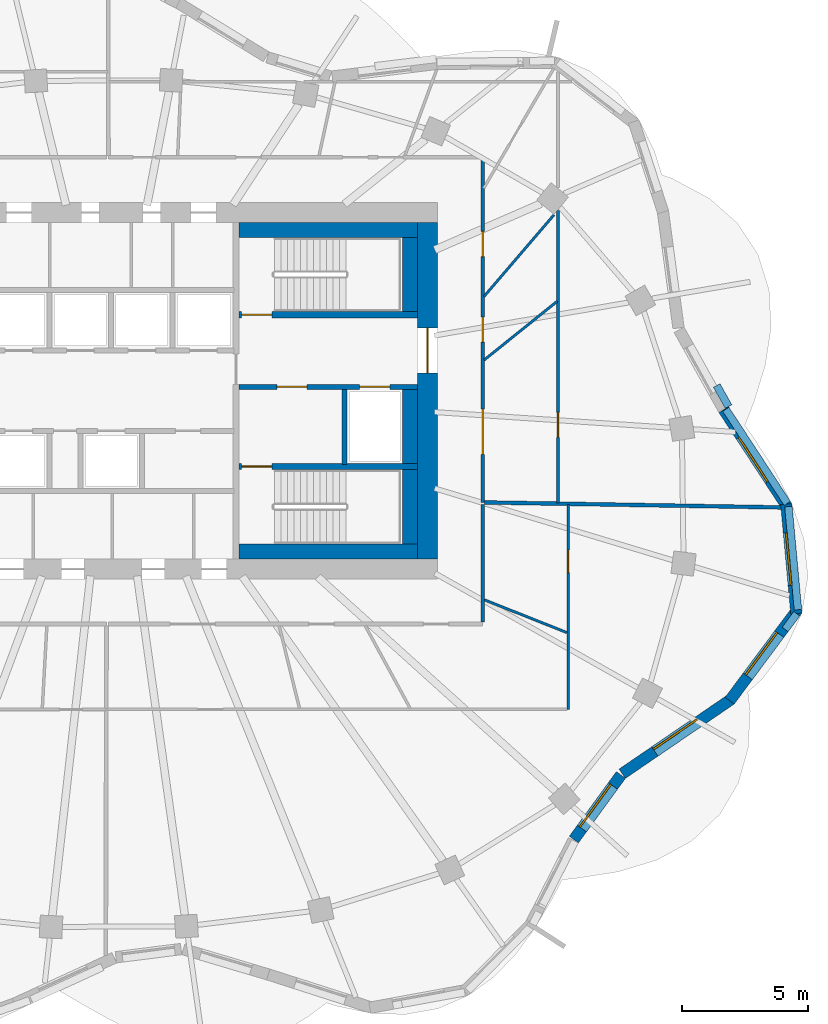
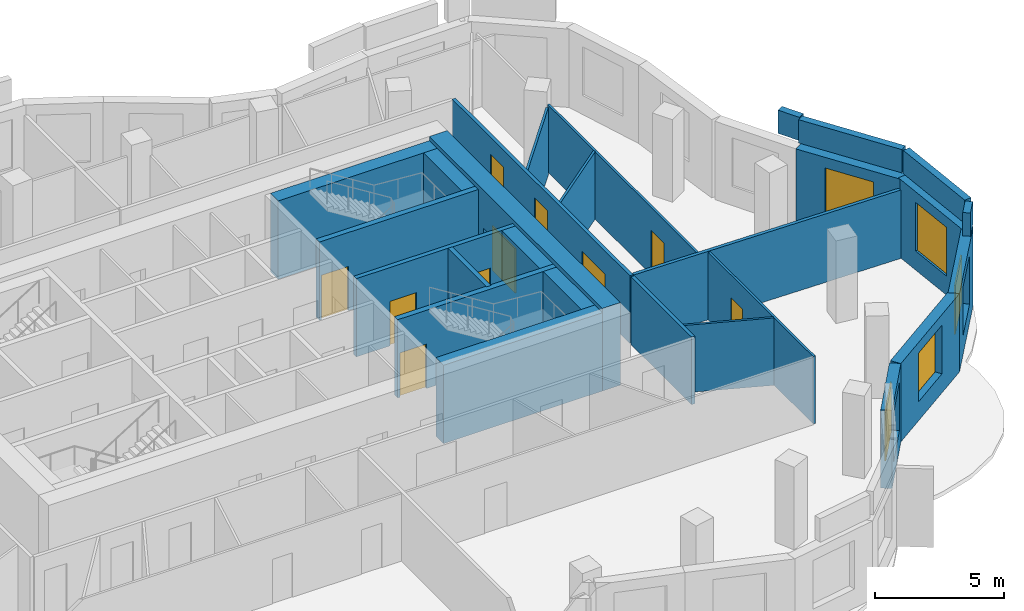
# One storey, part 6 of 10: 27 walls, 10 doors, 5 windows, 15 openings.
"""IFC4 building model written with IfcOpenShell, lengths in metres."""

from ifc_helpers import new_model, si_unit, direction, frame, frame_2d, origin, place, context, subcontext, project, spatial, rectangle, extrude, material, layer, layer_set, type_object, element, fill, save


model = new_model("IFC4")

# Units and contexts
model_context = context("Model", 3, precision=1e-05, world=origin(), true_north=direction((0.0, 1.0)))
body_context = subcontext(model_context, "Body", "Model", "MODEL_VIEW")
ifc_project = project(units=[si_unit("LENGTHUNIT", "METRE"), si_unit("AREAUNIT", "SQUARE_METRE"), si_unit("VOLUMEUNIT", "CUBIC_METRE"), si_unit("PLANEANGLEUNIT", "RADIAN"), si_unit("MASSUNIT", "GRAM", prefix="KILO")], contexts=[model_context])

# Site, building, storey
site_placement = place(None, origin())
site = spatial("IfcSite", under=ifc_project, at=site_placement, CompositionType="ELEMENT")
building_placement = place(site_placement, origin())
building = spatial("IfcBuilding", under=site, at=building_placement, Name="Rubra Terraces Tower", CompositionType="ELEMENT")
storey_placement = place(building_placement, frame((0.0, 0.0, 296.10009765625)))
storey = spatial("IfcBuildingStorey", under=building, at=storey_placement, Name="L73", CompositionType="ELEMENT", Elevation=296.10009765625)

# Wall, opening, window
ifc_material_1 = material(Name="Brick masonry red-brown", Category="masonry")
ifc_layer_1 = layer(ifc_material_1, 0.449951171875)
ifc_layer_set_1 = layer_set([ifc_layer_1], Name="Brick masonry red-brown")
wall_type_1 = type_object("IfcWallType", Name="Brick facade wall 450", PredefinedType="SOLIDWALL", material=ifc_layer_set_1)
wall_1_placement = place(storey_placement, frame((26.92626953125, -0.119140625, 0.0), z_axis=(0.0, 0.0, 1.0), x_axis=(-0.547072638725, 0.837085137819, 0.0)))
wall_1 = element("IfcWall", 1, at=wall_1_placement, inside=storey, type_object=wall_type_1, Name="Facade wall L73 bay 1", PredefinedType="SOLIDWALL", context=body_context, shape_type="SweptSolid", body=[
    extrude(rectangle(XDim=4.61572265625, YDim=0.449951171875, at=frame_2d((2.307861328125, 0.0))), origin(), (0.0, 0.0, 1.0), 3.699951171875),
])
opening_1_placement = place(wall_1_placement, frame((1.2578125, 0.0, 0.89990234375)))
opening_1 = element("IfcOpeningElement", 2, at=opening_1_placement, cuts=wall_1, Name="Opening W1B", PredefinedType="OPENING", context=body_context, shape_type="SweptSolid", body=[
    extrude(rectangle(XDim=2.10009765625, YDim=2.300048828125, at=frame_2d((1.050048828125, 1.14990234375))), frame((0.0, 0.23486328125, 0.0), z_axis=(0.0, -1.0, 0.0), x_axis=(1.0, 0.0, 0.0)), (0.0, 0.0, 1.0), 0.469970703125),
])
ifc_material_2 = material(Name="Clear glass in aluminium frame", Category="aluminium")
window_type = type_object("IfcWindowType", Name="Fixed deep-set window tall storey 2100 x 2300", PartitioningType="SINGLE_PANEL", PredefinedType="WINDOW", material=ifc_material_2)
window_1_placement = place(opening_1_placement, origin())
window_1 = element("IfcWindow", 3, at=window_1_placement, inside=storey, type_object=window_type, Name="Window L73 bay 1", OverallHeight=2.300048828125, OverallWidth=2.10009765625, PartitioningType="SINGLE_PANEL", PredefinedType="WINDOW", context=body_context, shape_type="SweptSolid", body=[
    extrude(rectangle(XDim=2.10009765625, YDim=2.300048828125, at=frame_2d((1.050048828125, 1.14990234375))), frame((0.0, 0.135009765625, 0.0), z_axis=(0.0, -1.0, 0.0), x_axis=(1.0, 0.0, 0.0)), (0.0, 0.0, 1.0), 0.06005859375),
])
fill(opening_1, window_1)

wall_2_placement = place(storey_placement, frame((18.43408203125, -13.381103515625, 0.0), z_axis=(0.0, 0.0, 1.0), x_axis=(0.58867331001, 0.808371037384, 0.0)))
wall_2 = element("IfcWall", 4, at=wall_2_placement, inside=storey, type_object=wall_type_1, Name="Facade wall L73 bay 37", PredefinedType="SOLIDWALL", context=body_context, shape_type="SweptSolid", body=[
    extrude(rectangle(XDim=3.1826171875, YDim=0.449951171875, at=frame_2d((1.59130859375, 0.0))), origin(), (0.0, 0.0, 1.0), 3.699951171875),
])
opening_2_placement = place(wall_2_placement, frame((0.541259765625, 0.0, 0.89990234375)))
opening_2 = element("IfcOpeningElement", 5, at=opening_2_placement, cuts=wall_2, Name="Opening W1B", PredefinedType="OPENING", context=body_context, shape_type="SweptSolid", body=[
    extrude(rectangle(XDim=2.10009765625, YDim=2.300048828125, at=frame_2d((1.050048828125, 1.14990234375))), frame((0.0, 0.23486328125, 0.0), z_axis=(0.0, -1.0, 0.0), x_axis=(1.0, 0.0, 0.0)), (0.0, 0.0, 1.0), 0.469970703125),
])
window_2_placement = place(opening_2_placement, origin())
window_2 = element("IfcWindow", 6, at=window_2_placement, inside=storey, type_object=window_type, Name="Window L73 bay 37", OverallHeight=2.300048828125, OverallWidth=2.10009765625, PartitioningType="SINGLE_PANEL", PredefinedType="WINDOW", context=body_context, shape_type="SweptSolid", body=[
    extrude(rectangle(XDim=2.10009765625, YDim=2.300048828125, at=frame_2d((1.050048828125, 1.14990234375))), frame((0.0, 0.135009765625, 0.0), z_axis=(0.0, -1.0, 0.0), x_axis=(1.0, 0.0, 0.0)), (0.0, 0.0, 1.0), 0.06005859375),
])
fill(opening_2, window_2)

wall_3_placement = place(storey_placement, frame((20.358642578125, -10.760498046875, 0.0), z_axis=(0.0, 0.0, 1.0), x_axis=(0.825616460661, 0.564231743068, 0.0)))
wall_3 = element("IfcWall", 7, at=wall_3_placement, inside=storey, type_object=wall_type_1, Name="Facade wall L73 bay 38", PredefinedType="SOLIDWALL", context=body_context, shape_type="SweptSolid", body=[
    extrude(rectangle(XDim=5.246337890625, YDim=0.449951171875, at=frame_2d((2.623046875, 0.0))), origin(), (0.0, 0.0, 1.0), 3.699951171875),
])
opening_3_placement = place(wall_3_placement, frame((1.5732421875, 0.0, 0.89990234375)))
opening_3 = element("IfcOpeningElement", 8, at=opening_3_placement, cuts=wall_3, Name="Opening W1B", PredefinedType="OPENING", context=body_context, shape_type="SweptSolid", body=[
    extrude(rectangle(XDim=2.10009765625, YDim=2.300048828125, at=frame_2d((1.050048828125, 1.14990234375))), frame((0.0, 0.23486328125, 0.0), z_axis=(0.0, -1.0, 0.0), x_axis=(1.0, 0.0, 0.0)), (0.0, 0.0, 1.0), 0.469970703125),
])
window_3_placement = place(opening_3_placement, origin())
window_3 = element("IfcWindow", 9, at=window_3_placement, inside=storey, type_object=window_type, Name="Window L73 bay 38", OverallHeight=2.300048828125, OverallWidth=2.10009765625, PartitioningType="SINGLE_PANEL", PredefinedType="WINDOW", context=body_context, shape_type="SweptSolid", body=[
    extrude(rectangle(XDim=2.10009765625, YDim=2.300048828125, at=frame_2d((1.050048828125, 1.14990234375))), frame((0.0, 0.135009765625, 0.0), z_axis=(0.0, -1.0, 0.0), x_axis=(1.0, 0.0, 0.0)), (0.0, 0.0, 1.0), 0.06005859375),
])
fill(opening_3, window_3)

wall_4_placement = place(storey_placement, frame((24.63671875, -7.851806640625, 0.0), z_axis=(0.0, 0.0, 1.0), x_axis=(0.597518748368, 0.80185494034, 0.0)))
wall_4 = element("IfcWall", 10, at=wall_4_placement, inside=storey, type_object=wall_type_1, Name="Facade wall L73 bay 39", PredefinedType="SOLIDWALL", context=body_context, shape_type="SweptSolid", body=[
    extrude(rectangle(XDim=4.5234375, YDim=0.449951171875, at=frame_2d((2.26171875, 0.0))), origin(), (0.0, 0.0, 1.0), 3.699951171875),
])
opening_4_placement = place(wall_4_placement, frame((1.211669921875, 0.0, 0.89990234375)))
opening_4 = element("IfcOpeningElement", 11, at=opening_4_placement, cuts=wall_4, Name="Opening W1B", PredefinedType="OPENING", context=body_context, shape_type="SweptSolid", body=[
    extrude(rectangle(XDim=2.10009765625, YDim=2.300048828125, at=frame_2d((1.050048828125, 1.14990234375))), frame((0.0, 0.23486328125, 0.0), z_axis=(0.0, -1.0, 0.0), x_axis=(1.0, 0.0, 0.0)), (0.0, 0.0, 1.0), 0.469970703125),
])
window_4_placement = place(opening_4_placement, origin())
window_4 = element("IfcWindow", 12, at=window_4_placement, inside=storey, type_object=window_type, Name="Window L73 bay 39", OverallHeight=2.300048828125, OverallWidth=2.10009765625, PartitioningType="SINGLE_PANEL", PredefinedType="WINDOW", context=body_context, shape_type="SweptSolid", body=[
    extrude(rectangle(XDim=2.10009765625, YDim=2.300048828125, at=frame_2d((1.050048828125, 1.14990234375))), frame((0.0, 0.135009765625, 0.0), z_axis=(0.0, -1.0, 0.0), x_axis=(1.0, 0.0, 0.0)), (0.0, 0.0, 1.0), 0.06005859375),
])
fill(opening_4, window_4)

wall_5_placement = place(storey_placement, frame((27.2958984375, -4.379638671875, 0.0), z_axis=(0.0, 0.0, 1.0), x_axis=(-0.092079421996, 0.995751665851, 0.0)))
wall_5 = element("IfcWall", 13, at=wall_5_placement, inside=storey, type_object=wall_type_1, Name="Facade wall L73 bay 40", PredefinedType="SOLIDWALL", context=body_context, shape_type="SweptSolid", body=[
    extrude(rectangle(XDim=4.37744140625, YDim=0.449951171875, at=frame_2d((2.188720703125, 0.0))), origin(), (0.0, 0.0, 1.0), 3.699951171875),
])
opening_5_placement = place(wall_5_placement, frame((1.138916015625, 0.0, 0.89990234375)))
opening_5 = element("IfcOpeningElement", 14, at=opening_5_placement, cuts=wall_5, Name="Opening W1B", PredefinedType="OPENING", context=body_context, shape_type="SweptSolid", body=[
    extrude(rectangle(XDim=2.10009765625, YDim=2.300048828125, at=frame_2d((1.050048828125, 1.14990234375))), frame((0.0, 0.23486328125, 0.0), z_axis=(0.0, -1.0, 0.0), x_axis=(1.0, 0.0, 0.0)), (0.0, 0.0, 1.0), 0.469970703125),
])
window_5_placement = place(opening_5_placement, origin())
window_5 = element("IfcWindow", 15, at=window_5_placement, inside=storey, type_object=window_type, Name="Window L73 bay 40", OverallHeight=2.300048828125, OverallWidth=2.10009765625, PartitioningType="SINGLE_PANEL", PredefinedType="WINDOW", context=body_context, shape_type="SweptSolid", body=[
    extrude(rectangle(XDim=2.10009765625, YDim=2.300048828125, at=frame_2d((1.050048828125, 1.14990234375))), frame((0.0, 0.135009765625, 0.0), z_axis=(0.0, -1.0, 0.0), x_axis=(1.0, 0.0, 0.0)), (0.0, 0.0, 1.0), 0.06005859375),
])
fill(opening_5, window_5)

# Walls
ifc_layer_2 = layer(ifc_material_1, 0.300048828125)
ifc_layer_set_2 = layer_set([ifc_layer_2], Name="Brick masonry red-brown")
wall_type_2 = type_object("IfcWallType", Name="Brick parapet 300", PredefinedType="PARAPET", material=ifc_layer_set_2)
wall_6_placement = place(storey_placement, frame((26.934326171875, 0.005615234375, 3.89990234375), z_axis=(0.0, 0.0, 1.0), x_axis=(-0.547070260179, 0.837086692301, 0.0)))
element("IfcWall", 16, at=wall_6_placement, inside=storey, type_object=wall_type_2, Name="Parapet L73 bay 1", PredefinedType="PARAPET", context=body_context, shape_type="SweptSolid", body=[
    extrude(rectangle(XDim=4.48095703125, YDim=0.300048828125, at=frame_2d((2.240478515625, 0.0))), origin(), (0.0, 0.0, 1.0), 1.10009765625),
])
wall_7_placement = place(storey_placement, frame((24.592041015625, 3.86376953125, 3.89990234375), z_axis=(0.0, 0.0, 1.0), x_axis=(-0.488379082049, 0.872631578742, 0.0)))
element("IfcWall", 17, at=wall_7_placement, inside=storey, type_object=wall_type_2, Name="Parapet L73 bay 2", PredefinedType="PARAPET", context=body_context, shape_type="SweptSolid", body=[
    extrude(rectangle(XDim=0.96142578125, YDim=0.300048828125, at=frame_2d((0.480712890625, 0.0))), origin(), (0.0, 0.0, 1.0), 1.10009765625),
])
wall_8_placement = place(storey_placement, frame((26.845458984375, -5.01318359375, 3.89990234375), z_axis=(0.0, 0.0, 1.0), x_axis=(0.597500991774, 0.801868171727, 0.0)))
element("IfcWall", 18, at=wall_8_placement, inside=storey, type_object=wall_type_2, Name="Parapet L73 bay 39", PredefinedType="PARAPET", context=body_context, shape_type="SweptSolid", body=[
    extrude(rectangle(XDim=0.782470703125, YDim=0.300048828125, at=frame_2d((0.39111328125, 0.0))), origin(), (0.0, 0.0, 1.0), 1.10009765625),
])
wall_9_placement = place(storey_placement, frame((27.357421875, -4.228515625, 3.89990234375), z_axis=(0.0, 0.0, 1.0), x_axis=(-0.092082019937, 0.99575142561, 0.0)))
element("IfcWall", 19, at=wall_9_placement, inside=storey, type_object=wall_type_2, Name="Parapet L73 bay 40", PredefinedType="PARAPET", context=body_context, shape_type="SweptSolid", body=[
    extrude(rectangle(XDim=4.128173828125, YDim=0.300048828125, at=frame_2d((2.06396484375, 0.0))), origin(), (0.0, 0.0, 1.0), 1.10009765625),
])

# Wall, opening, door
ifc_material_3 = material(Name="Concrete C50", Category="concrete")
ifc_layer_3 = layer(ifc_material_3, 0.800048828125)
ifc_layer_set_3 = layer_set([ifc_layer_3], Name="Concrete C50")
wall_type_3 = type_object("IfcWallType", Name="CORE WALL 800 C50", PredefinedType="SHEAR", material=ifc_layer_set_3)
wall_10_placement = place(storey_placement, frame((12.60009765625, -2.199951171875, 0.0), z_axis=(0.0, 0.0, 1.0), x_axis=(0.0, 1.0, 0.0)))
wall_10 = element("IfcWall", 20, at=wall_10_placement, inside=storey, type_object=wall_type_3, Name="CORE WALL E L73", PredefinedType="SHEAR", context=body_context, shape_type="SweptSolid", body=[
    extrude(rectangle(XDim=13.39990234375, YDim=0.800048828125, at=frame_2d((6.699951171875, 0.0))), origin(), (0.0, 0.0, 1.0), 3.89990234375),
])
opening_6_placement = place(wall_10_placement, frame((7.39990234375, 0.0, 0.0)))
opening_6 = element("IfcOpeningElement", 21, at=opening_6_placement, cuts=wall_10, Name="Opening L73.C02", PredefinedType="OPENING", context=body_context, shape_type="SweptSolid", body=[
    extrude(rectangle(XDim=1.800048828125, YDim=2.10009765625, at=frame_2d((0.89990234375, 1.050048828125))), frame((0.0, 0.409912109375, 0.0), z_axis=(0.0, -1.0, 0.0), x_axis=(1.0, 0.0, 0.0)), (0.0, 0.0, 1.0), 0.820068359375),
])
ifc_material_4 = material(Name="Painted steel", Category="steel")
door_type_1 = type_object("IfcDoorType", Name="Fire door 1800x2100 double", OperationType="NOTDEFINED", PredefinedType="DOOR", material=ifc_material_4)
door_1_placement = place(opening_6_placement, origin())
door_1 = element("IfcDoor", 22, at=door_1_placement, inside=storey, type_object=door_type_1, Name="Core entrance door FF2", OperationType="DOUBLE_DOOR_SINGLE_SWING", OverallHeight=2.10009765625, OverallWidth=1.800048828125, PredefinedType="DOOR", context=body_context, shape_type="SweptSolid", body=[
    extrude(rectangle(XDim=1.800048828125, YDim=2.10009765625, at=frame_2d((0.89990234375, 1.050048828125))), frame((0.0, 0.02490234375, 0.0), z_axis=(0.0, -1.0, 0.0), x_axis=(1.0, 0.0, 0.0)), (0.0, 0.0, 1.0), 0.050048828125),
])
fill(opening_6, door_1)

# Wall, openings, doors
ifc_material_5 = material(Name="Plasterboard on steel stud, mineral wool infill", Category="steel")
ifc_layer_4 = layer(ifc_material_5, 0.14990234375)
ifc_layer_set_4 = layer_set([ifc_layer_4], Name="Plasterboard on steel stud, mineral wool infill")
wall_type_4 = type_object("IfcWallType", Name="CORRIDOR PARTITION 150", PredefinedType="PARTITIONING", material=ifc_layer_set_4)
wall_11_placement = place(storey_placement, frame((14.800048828125, 0.048095703125, 0.0), z_axis=(0.0, 0.0, 1.0), x_axis=(0.0, 1.0, 0.0)))
wall_11 = element("IfcWall", 23, at=wall_11_placement, inside=storey, type_object=wall_type_4, Name="PARTITION", PredefinedType="PARTITIONING", context=body_context, shape_type="SweptSolid", body=[
    extrude(rectangle(XDim=13.751953125, YDim=0.14990234375, at=frame_2d((6.8759765625, 0.0))), origin(), (0.0, 0.0, 1.0), 3.197998046875),
])
opening_7_placement = place(wall_11_placement, frame((1.912109375, 0.0, 0.0)))
opening_7 = element("IfcOpeningElement", 24, at=opening_7_placement, cuts=wall_11, Name="Opening 73-101", PredefinedType="OPENING", context=body_context, shape_type="SweptSolid", body=[
    extrude(rectangle(XDim=1.800048828125, YDim=2.10009765625, at=frame_2d((0.89990234375, 1.050048828125))), frame((0.0, 0.0849609375, 0.0), z_axis=(0.0, -1.0, 0.0), x_axis=(1.0, 0.0, 0.0)), (0.0, 0.0, 1.0), 0.169921875),
])
opening_8_placement = place(wall_11_placement, frame((6.381103515625, 0.0, 0.0)))
opening_8 = element("IfcOpeningElement", 25, at=opening_8_placement, cuts=wall_11, Name="Opening 73-103", PredefinedType="OPENING", context=body_context, shape_type="SweptSolid", body=[
    extrude(rectangle(XDim=1.0, YDim=2.39990234375, at=frame_2d((0.5, 1.199951171875))), frame((0.0, 0.0849609375, 0.0), z_axis=(0.0, -1.0, 0.0), x_axis=(1.0, 0.0, 0.0)), (0.0, 0.0, 1.0), 0.169921875),
])
opening_9_placement = place(wall_11_placement, frame((9.7919921875, 0.0, 0.0)))
opening_9 = element("IfcOpeningElement", 26, at=opening_9_placement, cuts=wall_11, Name="Opening 73-104", PredefinedType="OPENING", context=body_context, shape_type="SweptSolid", body=[
    extrude(rectangle(XDim=1.0, YDim=2.39990234375, at=frame_2d((0.5, 1.199951171875))), frame((0.0, 0.0849609375, 0.0), z_axis=(0.0, -1.0, 0.0), x_axis=(1.0, 0.0, 0.0)), (0.0, 0.0, 1.0), 0.169921875),
])
ifc_material_6 = material(Name="Glazed aluminium meeting door leaf", Category="aluminium")
door_type_2 = type_object("IfcDoorType", Name="MEETING ROOM GLAZED DOOR 1000 X 2400", OperationType="SINGLE_SWING_LEFT", PredefinedType="DOOR", material=ifc_material_6)
door_2_placement = place(opening_8_placement, origin())
door_2 = element("IfcDoor", 27, at=door_2_placement, inside=storey, type_object=door_type_2, Name="DOOR 73-103", OperationType="SINGLE_SWING_RIGHT", OverallHeight=2.39990234375, OverallWidth=1.0, PredefinedType="DOOR", context=body_context, shape_type="SweptSolid", body=[
    extrude(rectangle(XDim=1.0, YDim=2.39990234375, at=frame_2d((0.5, 1.199951171875))), frame((0.0, 0.02490234375, 0.0), z_axis=(0.0, -1.0, 0.0), x_axis=(1.0, 0.0, 0.0)), (0.0, 0.0, 1.0), 0.050048828125),
])
fill(opening_8, door_2)
door_3_placement = place(opening_9_placement, origin())
door_3 = element("IfcDoor", 28, at=door_3_placement, inside=storey, type_object=door_type_2, Name="DOOR 73-104", OperationType="SINGLE_SWING_RIGHT", OverallHeight=2.39990234375, OverallWidth=1.0, PredefinedType="DOOR", context=body_context, shape_type="SweptSolid", body=[
    extrude(rectangle(XDim=1.0, YDim=2.39990234375, at=frame_2d((0.5, 1.199951171875))), frame((0.0, 0.02490234375, 0.0), z_axis=(0.0, -1.0, 0.0), x_axis=(1.0, 0.0, 0.0)), (0.0, 0.0, 1.0), 0.050048828125),
])
fill(opening_9, door_3)
ifc_material_7 = material(Name="Painted timber door leaf, double", Category="wood")
door_type_3 = type_object("IfcDoorType", Name="ROOM DOUBLE DOOR 1800 X 2100", OperationType="DOUBLE_DOOR_SINGLE_SWING", PredefinedType="DOOR", material=ifc_material_7)
door_4_placement = place(opening_7_placement, origin())
door_4 = element("IfcDoor", 29, at=door_4_placement, inside=storey, type_object=door_type_3, Name="DOOR 73-101", OperationType="DOUBLE_DOOR_SINGLE_SWING", OverallHeight=2.10009765625, OverallWidth=1.800048828125, PredefinedType="DOOR", context=body_context, shape_type="SweptSolid", body=[
    extrude(rectangle(XDim=1.800048828125, YDim=2.10009765625, at=frame_2d((0.89990234375, 1.050048828125))), frame((0.0, 0.02490234375, 0.0), z_axis=(0.0, -1.0, 0.0), x_axis=(1.0, 0.0, 0.0)), (0.0, 0.0, 1.0), 0.050048828125),
])
fill(opening_7, door_4)

# Walls
wall_12_placement = place(storey_placement, frame((14.800048828125, -4.72509765625, 0.0), z_axis=(0.0, 0.0, 1.0), x_axis=(0.0, 1.0, 0.0)))
element("IfcWall", 30, at=wall_12_placement, inside=storey, type_object=wall_type_4, Name="PARTITION", PredefinedType="PARTITIONING", context=body_context, shape_type="SweptSolid", body=[
    extrude(rectangle(XDim=4.6982421875, YDim=0.14990234375, at=frame_2d((2.34912109375, 0.0))), origin(), (0.0, 0.0, 1.0), 3.197998046875),
])
ifc_material_8 = material(Name="Concrete C40", Category="concrete")
ifc_layer_5 = layer(ifc_material_8, 0.60009765625)
ifc_layer_set_5 = layer_set([ifc_layer_5], Name="Concrete C40")
wall_type_5 = type_object("IfcWallType", Name="Core lining wall 600 concrete", PredefinedType="SOLIDWALL", material=ifc_layer_set_5)
wall_13_placement = place(storey_placement, frame((12.199951171875, 10.89990234375, 0.0), z_axis=(0.0, 0.0, 1.0), x_axis=(-1.0, 0.0, 0.0)))
element("IfcWall", 31, at=wall_13_placement, inside=storey, type_object=wall_type_5, Name="CORE LINING WALL L73", PredefinedType="SOLIDWALL", context=body_context, shape_type="SweptSolid", body=[
    extrude(rectangle(XDim=7.099853515625, YDim=0.60009765625, at=frame_2d((3.5498046875, 0.0))), origin(), (0.0, 0.0, 1.0), 3.699951171875),
])
wall_14_placement = place(storey_placement, frame((11.89990234375, 10.60009765625, 0.0), z_axis=(0.0, 0.0, 1.0), x_axis=(0.0, -1.0, 0.0)))
element("IfcWall", 32, at=wall_14_placement, inside=storey, type_object=wall_type_5, Name="CORE LINING WALL L73", PredefinedType="SOLIDWALL", context=body_context, shape_type="SweptSolid", body=[
    extrude(rectangle(XDim=2.9501953125, YDim=0.60009765625, at=frame_2d((1.47509765625, 0.0))), origin(), (0.0, 0.0, 1.0), 3.699951171875),
])
wall_15_placement = place(storey_placement, frame((11.89990234375, 4.550048828125, 0.0), z_axis=(0.0, 0.0, 1.0), x_axis=(0.0, -1.0, 0.0)))
element("IfcWall", 33, at=wall_15_placement, inside=storey, type_object=wall_type_5, Name="CORE LINING WALL L73", PredefinedType="SOLIDWALL", context=body_context, shape_type="SweptSolid", body=[
    extrude(rectangle(XDim=3.0, YDim=0.60009765625, at=frame_2d((1.5, 0.0))), origin(), (0.0, 0.0, 1.0), 3.699951171875),
])
wall_16_placement = place(storey_placement, frame((11.89990234375, 1.35009765625, 0.0), z_axis=(0.0, 0.0, 1.0), x_axis=(0.0, -1.0, 0.0)))
element("IfcWall", 34, at=wall_16_placement, inside=storey, type_object=wall_type_5, Name="CORE LINING WALL L73", PredefinedType="SOLIDWALL", context=body_context, shape_type="SweptSolid", body=[
    extrude(rectangle(XDim=2.9501953125, YDim=0.60009765625, at=frame_2d((1.47509765625, 0.0))), origin(), (0.0, 0.0, 1.0), 3.699951171875),
])
wall_17_placement = place(storey_placement, frame((12.199951171875, -1.89990234375, 0.0), z_axis=(0.0, 0.0, 1.0), x_axis=(-1.0, 0.0, 0.0)))
element("IfcWall", 35, at=wall_17_placement, inside=storey, type_object=wall_type_5, Name="CORE LINING WALL L73", PredefinedType="SOLIDWALL", context=body_context, shape_type="SweptSolid", body=[
    extrude(rectangle(XDim=7.099853515625, YDim=0.60009765625, at=frame_2d((3.5498046875, 0.0))), origin(), (0.0, 0.0, 1.0), 3.699951171875),
])

# Wall, openings, doors
ifc_material_9 = material(Name="Concrete C30", Category="concrete")
ifc_layer_6 = layer(ifc_material_9, 0.199951171875)
ifc_layer_set_6 = layer_set([ifc_layer_6], Name="Concrete C30")
wall_type_6 = type_object("IfcWallType", Name="Core wall 200 concrete", PredefinedType="SOLIDWALL", material=ifc_layer_set_6)
wall_18_placement = place(storey_placement, frame((12.199951171875, 4.64990234375, 0.0), z_axis=(0.0, 0.0, 1.0), x_axis=(-1.0, 0.0, 0.0)))
wall_18 = element("IfcWall", 36, at=wall_18_placement, inside=storey, type_object=wall_type_6, Name="STAIR WALL L73", PredefinedType="SOLIDWALL", context=body_context, shape_type="SweptSolid", body=[
    extrude(rectangle(XDim=7.099853515625, YDim=0.199951171875, at=frame_2d((3.5498046875, 0.0))), origin(), (0.0, 0.0, 1.0), 3.699951171875),
])
opening_10_placement = place(wall_18_placement, frame((4.39990234375, 0.0, 0.0)))
opening_10 = element("IfcOpeningElement", 37, at=opening_10_placement, cuts=wall_18, Name="Opening L73.C06", PredefinedType="OPENING", context=body_context, shape_type="SweptSolid", body=[
    extrude(rectangle(XDim=1.199951171875, YDim=2.10009765625, at=frame_2d((0.60009765625, 1.050048828125))), frame((0.0, 0.10986328125, 0.0), z_axis=(0.0, -1.0, 0.0), x_axis=(1.0, 0.0, 0.0)), (0.0, 0.0, 1.0), 0.219970703125),
])
opening_11_placement = place(wall_18_placement, frame((1.10009765625, 0.0, 0.0)))
opening_11 = element("IfcOpeningElement", 38, at=opening_11_placement, cuts=wall_18, Name="Opening L73.C12", PredefinedType="OPENING", context=body_context, shape_type="SweptSolid", body=[
    extrude(rectangle(XDim=1.199951171875, YDim=2.10009765625, at=frame_2d((0.60009765625, 1.050048828125))), frame((0.0, 0.10986328125, 0.0), z_axis=(0.0, -1.0, 0.0), x_axis=(1.0, 0.0, 0.0)), (0.0, 0.0, 1.0), 0.219970703125),
])
door_type_4 = type_object("IfcDoorType", Name="Fire door 1200x2100 single", OperationType="NOTDEFINED", PredefinedType="DOOR", material=ifc_material_4)
door_5_placement = place(opening_10_placement, origin())
door_5 = element("IfcDoor", 39, at=door_5_placement, inside=storey, type_object=door_type_4, Name="Stair vestibule door S4", OperationType="SINGLE_SWING_RIGHT", OverallHeight=2.10009765625, OverallWidth=1.199951171875, PredefinedType="DOOR", context=body_context, shape_type="SweptSolid", body=[
    extrude(rectangle(XDim=1.199951171875, YDim=2.10009765625, at=frame_2d((0.60009765625, 1.050048828125))), frame((0.0, 0.02490234375, 0.0), z_axis=(0.0, -1.0, 0.0), x_axis=(1.0, 0.0, 0.0)), (0.0, 0.0, 1.0), 0.050048828125),
])
fill(opening_10, door_5)
ifc_material_10 = material(Name="Stainless steel", Category="steel")
door_type_5 = type_object("IfcDoorType", Name="Lift landing door 1200x2100", OperationType="NOTDEFINED", PredefinedType="DOOR", material=ifc_material_10)
door_6_placement = place(opening_11_placement, origin())
door_6 = element("IfcDoor", 40, at=door_6_placement, inside=storey, type_object=door_type_5, Name="Landing door FF2", OperationType="SLIDING_TO_RIGHT", OverallHeight=2.10009765625, OverallWidth=1.199951171875, PredefinedType="DOOR", context=body_context, shape_type="SweptSolid", body=[
    extrude(rectangle(XDim=1.199951171875, YDim=2.10009765625, at=frame_2d((0.60009765625, 1.050048828125))), frame((0.0, 0.02490234375, 0.0), z_axis=(0.0, -1.0, 0.0), x_axis=(1.0, 0.0, 0.0)), (0.0, 0.0, 1.0), 0.050048828125),
])
fill(opening_11, door_6)

# Wall
wall_19_placement = place(storey_placement, frame((9.300048828125, 4.550048828125, 0.0), z_axis=(0.0, 0.0, 1.0), x_axis=(0.0, -1.0, 0.0)))
element("IfcWall", 41, at=wall_19_placement, inside=storey, type_object=wall_type_6, Name="STAIR WALL L73", PredefinedType="SOLIDWALL", context=body_context, shape_type="SweptSolid", body=[
    extrude(rectangle(XDim=3.0, YDim=0.199951171875, at=frame_2d((1.5, 0.0))), origin(), (0.0, 0.0, 1.0), 3.699951171875),
])

# Wall, opening, door
ifc_material_11 = material(Name="Plasterboard on steel stud", Category="steel")
ifc_layer_7 = layer(ifc_material_11, 0.10009765625)
ifc_layer_set_7 = layer_set([ifc_layer_7], Name="Plasterboard on steel stud")
wall_type_7 = type_object("IfcWallType", Name="ROOM PARTITION 100", PredefinedType="PARTITIONING", material=ifc_layer_set_7)
wall_20_placement = place(storey_placement, frame((17.800048828125, 11.6748046875, 0.0), z_axis=(0.0, 0.0, 1.0), x_axis=(0.0, -1.0, 0.0)))
wall_20 = element("IfcWall", 42, at=wall_20_placement, inside=storey, type_object=wall_type_7, Name="PARTITION", PredefinedType="PARTITIONING", context=body_context, shape_type="SweptSolid", body=[
    extrude(rectangle(XDim=11.6572265625, YDim=0.10009765625, at=frame_2d((5.82861328125, 0.0))), origin(), (0.0, 0.0, 1.0), 3.183837890625),
])
opening_12_placement = place(wall_20_placement, frame((8.0390625, 0.0, 0.0)))
opening_12 = element("IfcOpeningElement", 43, at=opening_12_placement, cuts=wall_20, Name="Opening 73-102", PredefinedType="OPENING", context=body_context, shape_type="SweptSolid", body=[
    extrude(rectangle(XDim=1.0, YDim=2.10009765625, at=frame_2d((0.5, 1.050048828125))), frame((0.0, 0.06005859375, 0.0), z_axis=(0.0, -1.0, 0.0), x_axis=(1.0, 0.0, 0.0)), (0.0, 0.0, 1.0), 0.1201171875),
])
ifc_material_12 = material(Name="Painted timber door leaf", Category="wood")
door_type_6 = type_object("IfcDoorType", Name="ROOM DOOR 1000 X 2100", OperationType="SINGLE_SWING_LEFT", PredefinedType="DOOR", material=ifc_material_12)
door_7_placement = place(opening_12_placement, origin())
door_7 = element("IfcDoor", 44, at=door_7_placement, inside=storey, type_object=door_type_6, Name="DOOR 73-102", OperationType="SINGLE_SWING_LEFT", OverallHeight=2.10009765625, OverallWidth=1.0, PredefinedType="DOOR", context=body_context, shape_type="SweptSolid", body=[
    extrude(rectangle(XDim=1.0, YDim=2.10009765625, at=frame_2d((0.5, 1.050048828125))), frame((0.0, 0.02490234375, 0.0), z_axis=(0.0, -1.0, 0.0), x_axis=(1.0, 0.0, 0.0)), (0.0, 0.0, 1.0), 0.050048828125),
])
fill(opening_12, door_7)

# Walls
wall_21_placement = place(storey_placement, frame((14.8583984375, 5.718994140625, 0.0), z_axis=(0.0, 0.0, 1.0), x_axis=(0.779434046092, 0.626484291737, 0.0)))
element("IfcWall", 45, at=wall_21_placement, inside=storey, type_object=wall_type_7, Name="PARTITION", PredefinedType="PARTITIONING", context=body_context, shape_type="SweptSolid", body=[
    extrude(rectangle(XDim=3.723876953125, YDim=0.10009765625, at=frame_2d((1.86181640625, 0.0))), origin(), (0.0, 0.0, 1.0), 3.183837890625),
])
wall_22_placement = place(storey_placement, frame((14.848876953125, 8.243896484375, 0.0), z_axis=(0.0, 0.0, 1.0), x_axis=(0.650735079705, 0.759304850532, 0.0)))
element("IfcWall", 46, at=wall_22_placement, inside=storey, type_object=wall_type_7, Name="PARTITION", PredefinedType="PARTITIONING", context=body_context, shape_type="SweptSolid", body=[
    extrude(rectangle(XDim=4.2861328125, YDim=0.10009765625, at=frame_2d((2.14306640625, 0.0))), origin(), (0.0, 0.0, 1.0), 3.183837890625),
])

# Wall, opening, door
wall_23_placement = place(storey_placement, frame((18.199951171875, -0.029296875, 0.0), z_axis=(0.0, 0.0, 1.0), x_axis=(0.0, -1.0, 0.0)))
wall_23 = element("IfcWall", 47, at=wall_23_placement, inside=storey, type_object=wall_type_7, Name="PARTITION", PredefinedType="PARTITIONING", context=body_context, shape_type="SweptSolid", body=[
    extrude(rectangle(XDim=8.170654296875, YDim=0.10009765625, at=frame_2d((4.08544921875, 0.0))), origin(), (0.0, 0.0, 1.0), 3.183837890625),
])
opening_13_placement = place(wall_23_placement, frame((1.823974609375, 0.0, 0.0)))
opening_13 = element("IfcOpeningElement", 48, at=opening_13_placement, cuts=wall_23, Name="Opening 73-122", PredefinedType="OPENING", context=body_context, shape_type="SweptSolid", body=[
    extrude(rectangle(XDim=0.89990234375, YDim=2.10009765625, at=frame_2d((0.449951171875, 1.050048828125))), frame((0.0, 0.06005859375, 0.0), z_axis=(0.0, -1.0, 0.0), x_axis=(1.0, 0.0, 0.0)), (0.0, 0.0, 1.0), 0.1201171875),
])
door_type_7 = type_object("IfcDoorType", Name="ROOM DOOR 900 X 2100", OperationType="SINGLE_SWING_LEFT", PredefinedType="DOOR", material=ifc_material_12)
door_8_placement = place(opening_13_placement, origin())
door_8 = element("IfcDoor", 49, at=door_8_placement, inside=storey, type_object=door_type_7, Name="DOOR 73-122", OperationType="SINGLE_SWING_RIGHT", OverallHeight=2.10009765625, OverallWidth=0.89990234375, PredefinedType="DOOR", context=body_context, shape_type="SweptSolid", body=[
    extrude(rectangle(XDim=0.89990234375, YDim=2.10009765625, at=frame_2d((0.449951171875, 1.050048828125))), frame((0.0, 0.02490234375, 0.0), z_axis=(0.0, -1.0, 0.0), x_axis=(1.0, 0.0, 0.0)), (0.0, 0.0, 1.0), 0.050048828125),
])
fill(opening_13, door_8)

# Walls
wall_24_placement = place(storey_placement, frame((14.86962890625, -3.834716796875, 0.0), z_axis=(0.0, 0.0, 1.0), x_axis=(0.9294835662, -0.368863525119, 0.0)))
element("IfcWall", 50, at=wall_24_placement, inside=storey, type_object=wall_type_7, Name="PARTITION", PredefinedType="PARTITIONING", context=body_context, shape_type="SweptSolid", body=[
    extrude(rectangle(XDim=3.532958984375, YDim=0.10009765625, at=frame_2d((1.7666015625, 0.0))), origin(), (0.0, 0.0, 1.0), 3.183837890625),
])
ifc_layer_8 = layer(ifc_material_11, 0.14990234375)
ifc_layer_set_8 = layer_set([ifc_layer_8], Name="Plasterboard on steel stud")
wall_type_8 = type_object("IfcWallType", Name="ROOM PARTITION 150", PredefinedType="PARTITIONING", material=ifc_layer_set_8)
wall_25_placement = place(storey_placement, frame((26.67431640625, -0.15234375, 0.0), z_axis=(0.0, 0.0, 1.0), x_axis=(-0.999857497038, 0.01688151702, 0.0)))
element("IfcWall", 51, at=wall_25_placement, inside=storey, type_object=wall_type_8, Name="PARTITION", PredefinedType="PARTITIONING", context=body_context, shape_type="SweptSolid", body=[
    extrude(rectangle(XDim=11.801025390625, YDim=0.14990234375, at=frame_2d((5.900390625, 0.0))), origin(), (0.0, 0.0, 1.0), 3.23388671875),
])

# Wall, opening, door
ifc_layer_9 = layer(ifc_material_8, 0.25)
ifc_layer_set_9 = layer_set([ifc_layer_9], Name="Concrete C40")
wall_type_9 = type_object("IfcWallType", Name="Stair enclosure wall 250 concrete", PredefinedType="SOLIDWALL", material=ifc_layer_set_9)
wall_26_placement = place(storey_placement, frame((12.199951171875, 7.52490234375, 0.0), z_axis=(0.0, 0.0, 1.0), x_axis=(-1.0, 0.0, 0.0)))
wall_26 = element("IfcWall", 52, at=wall_26_placement, inside=storey, type_object=wall_type_9, Name="STAIR WALL L73", PredefinedType="SOLIDWALL", context=body_context, shape_type="SweptSolid", body=[
    extrude(rectangle(XDim=7.099853515625, YDim=0.25, at=frame_2d((3.5498046875, 0.0))), origin(), (0.0, 0.0, 1.0), 3.699951171875),
])
opening_14_placement = place(wall_26_placement, frame((5.800048828125, 0.0, 0.0)))
opening_14 = element("IfcOpeningElement", 53, at=opening_14_placement, cuts=wall_26, Name="Opening L73.C08", PredefinedType="OPENING", context=body_context, shape_type="SweptSolid", body=[
    extrude(rectangle(XDim=1.199951171875, YDim=2.10009765625, at=frame_2d((0.60009765625, 1.050048828125))), frame((0.0, 0.135009765625, 0.0), z_axis=(0.0, -1.0, 0.0), x_axis=(1.0, 0.0, 0.0)), (0.0, 0.0, 1.0), 0.27001953125),
])
door_9_placement = place(opening_14_placement, origin())
door_9 = element("IfcDoor", 54, at=door_9_placement, inside=storey, type_object=door_type_4, Name="Stair door S3", OperationType="SINGLE_SWING_RIGHT", OverallHeight=2.10009765625, OverallWidth=1.199951171875, PredefinedType="DOOR", context=body_context, shape_type="SweptSolid", body=[
    extrude(rectangle(XDim=1.199951171875, YDim=2.10009765625, at=frame_2d((0.60009765625, 1.050048828125))), frame((0.0, 0.02490234375, 0.0), z_axis=(0.0, -1.0, 0.0), x_axis=(1.0, 0.0, 0.0)), (0.0, 0.0, 1.0), 0.050048828125),
])
fill(opening_14, door_9)

wall_27_placement = place(storey_placement, frame((12.199951171875, 1.47509765625, 0.0), z_axis=(0.0, 0.0, 1.0), x_axis=(-1.0, 0.0, 0.0)))
wall_27 = element("IfcWall", 55, at=wall_27_placement, inside=storey, type_object=wall_type_9, Name="STAIR WALL L73", PredefinedType="SOLIDWALL", context=body_context, shape_type="SweptSolid", body=[
    extrude(rectangle(XDim=7.099853515625, YDim=0.25, at=frame_2d((3.5498046875, 0.0))), origin(), (0.0, 0.0, 1.0), 3.699951171875),
])
opening_15_placement = place(wall_27_placement, frame((5.800048828125, 0.0, 0.0)))
opening_15 = element("IfcOpeningElement", 56, at=opening_15_placement, cuts=wall_27, Name="Opening L73.C10", PredefinedType="OPENING", context=body_context, shape_type="SweptSolid", body=[
    extrude(rectangle(XDim=1.199951171875, YDim=2.10009765625, at=frame_2d((0.60009765625, 1.050048828125))), frame((0.0, 0.135009765625, 0.0), z_axis=(0.0, -1.0, 0.0), x_axis=(1.0, 0.0, 0.0)), (0.0, 0.0, 1.0), 0.27001953125),
])
door_10_placement = place(opening_15_placement, origin())
door_10 = element("IfcDoor", 57, at=door_10_placement, inside=storey, type_object=door_type_4, Name="Stair door S4", OperationType="SINGLE_SWING_RIGHT", OverallHeight=2.10009765625, OverallWidth=1.199951171875, PredefinedType="DOOR", context=body_context, shape_type="SweptSolid", body=[
    extrude(rectangle(XDim=1.199951171875, YDim=2.10009765625, at=frame_2d((0.60009765625, 1.050048828125))), frame((0.0, 0.02490234375, 0.0), z_axis=(0.0, -1.0, 0.0), x_axis=(1.0, 0.0, 0.0)), (0.0, 0.0, 1.0), 0.050048828125),
])
fill(opening_15, door_10)

save(model, "model.ifc")
